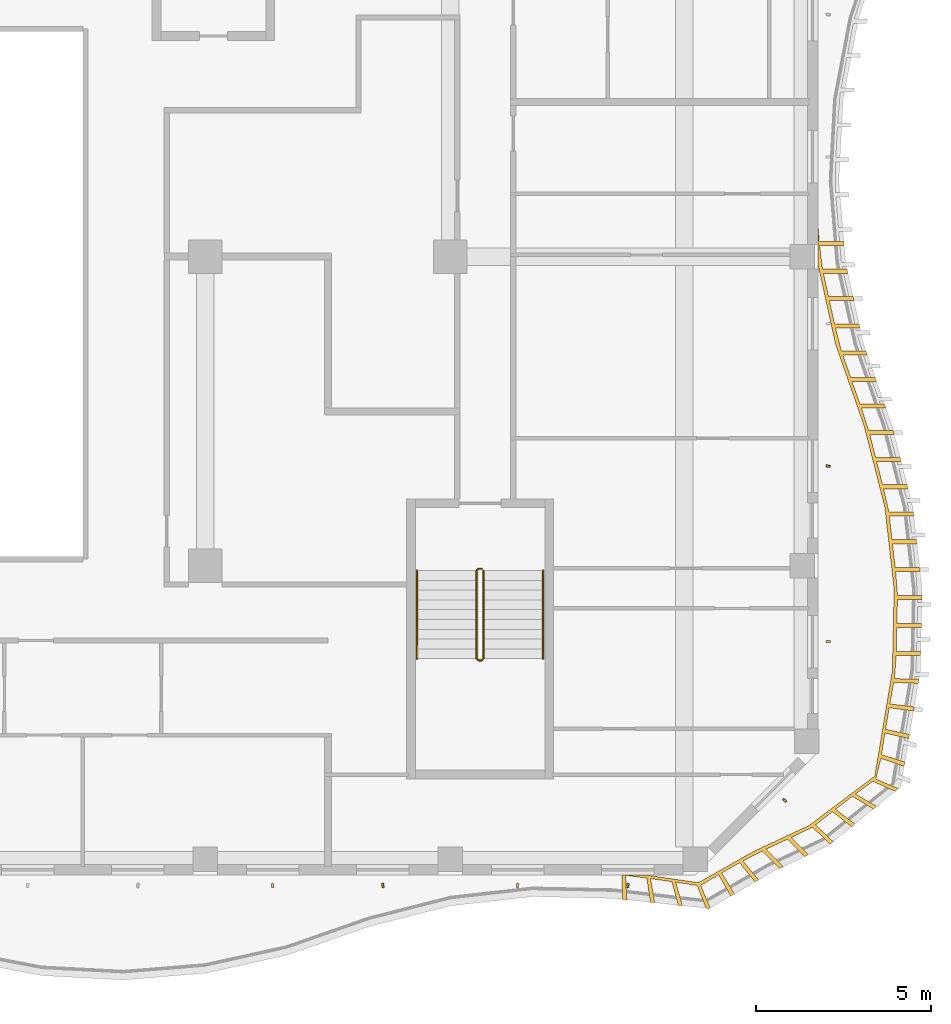
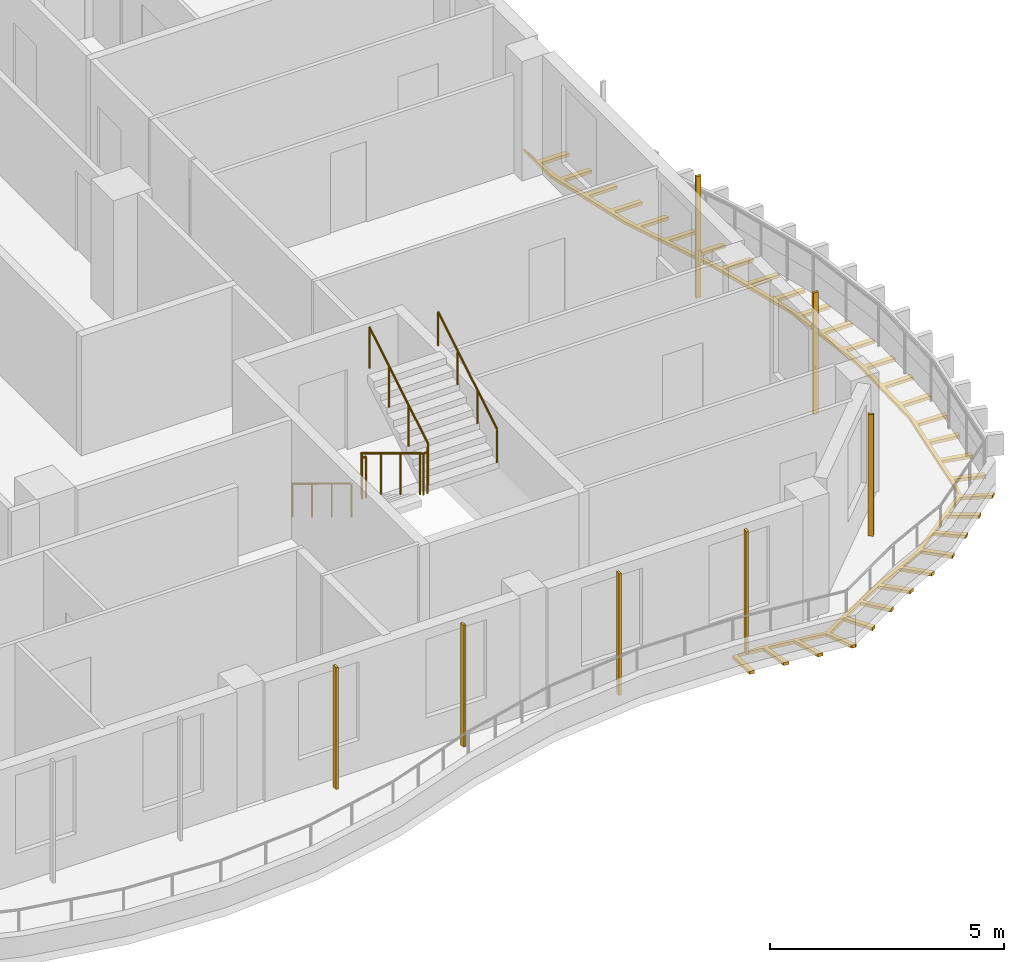
# One storey, part 16 of 19: 8 shading devices, 3 railings.
"""IFC4 building model written with IfcOpenShell, lengths in metres."""

from ifc_helpers import new_model, si_unit, direction, frame, origin, origin_2d, place, context, subcontext, project, spatial, polyline, rectangle, circle, outline, extrude, source, transform, mapped, material, layer, layer_set, material_profile, profile_set, type_object, element, save


model = new_model("IFC4")

# Units and contexts
model_context = context("Model", 3, precision=1e-05, world=origin(), true_north=direction((0.0, 1.0)))
body_context = subcontext(model_context, "Body", "Model", "MODEL_VIEW")
ifc_project = project(units=[si_unit("LENGTHUNIT", "METRE"), si_unit("AREAUNIT", "SQUARE_METRE"), si_unit("VOLUMEUNIT", "CUBIC_METRE"), si_unit("PLANEANGLEUNIT", "RADIAN"), si_unit("MASSUNIT", "GRAM", prefix="KILO")], contexts=[model_context])

# Site, building, storey
site_placement = place(None, origin())
site = spatial("IfcSite", under=ifc_project, at=site_placement, CompositionType="ELEMENT")
building_placement = place(site_placement, origin())
building = spatial("IfcBuilding", under=site, at=building_placement, Name="Kilnfold Tower and Market Hall", CompositionType="ELEMENT")
storey_placement = place(building_placement, frame((0.0, 0.0, 252.60009765625)))
storey = spatial("IfcBuildingStorey", under=building, at=storey_placement, Name="L61", CompositionType="ELEMENT", Elevation=252.60009765625)

# Railings
ifc_material_1 = material(Name="Stainless steel 316", Category="steel")
railing_type_1 = type_object("IfcRailingType", Name="CORE STAIR GUARD 1100", PredefinedType="GUARDRAIL", material=ifc_material_1)
railing_1_placement = place(storey_placement, frame((19.89990234375, -9.75, 0.0)))
element("IfcRailing", 1, at=railing_1_placement, inside=storey, type_object=railing_type_1, Name="L61 ST4 stair guard 1", PredefinedType="GUARDRAIL", context=body_context, shape_type="SweptSolid", body=[
    extrude(circle(Radius=0.02392578125, at=origin_2d()), frame((0.0, 0.0, 1.076171875), z_axis=(-1.0, 0.0, 0.0), x_axis=(0.0, -1.0, 0.0)), (0.0, 0.0, 1.0), 0.099853515625),
    extrude(circle(Radius=0.02392578125, at=origin_2d()), frame((-0.099853515625, 0.0, 1.076171875), z_axis=(-0.271895245746, -0.271895245746, 0.923117517265), x_axis=(0.707106781187, -0.707106781187, 0.0)), (0.0, 0.0, 1.0), 0.18408203125),
    extrude(circle(Radius=0.02392578125, at=origin_2d()), frame((-0.14990234375, -0.050048828125, 1.24609375), z_axis=(0.0, -0.85478489116, 0.518982456201), x_axis=(1.0, 0.0, 0.0)), (0.0, 0.0, 1.0), 2.9482421875),
    extrude(circle(Radius=0.02392578125, at=origin_2d()), frame((-0.14990234375, -2.570068359375, 2.77587890625), z_axis=(0.707106781187, -0.707106781187, 0.0), x_axis=(0.707106781187, 0.707106781187, 0.0)), (0.0, 0.0, 1.0), 0.07080078125),
    extrude(circle(Radius=0.02392578125, at=origin_2d()), frame((-0.099853515625, -2.6201171875, 2.77587890625), z_axis=(1.0, 0.0, 0.0), x_axis=(0.0, 1.0, 0.0)), (0.0, 0.0, 1.0), 0.099853515625),
    extrude(circle(Radius=0.02392578125, at=origin_2d()), frame((0.0, -2.6201171875, 2.77587890625), z_axis=(0.271895245746, 0.271895245746, 0.923117517265), x_axis=(-0.707106781187, 0.707106781187, 0.0)), (0.0, 0.0, 1.0), 0.18408203125),
    extrude(circle(Radius=0.02392578125, at=origin_2d()), frame((0.050048828125, -2.570068359375, 2.94580078125), z_axis=(0.0, 0.85478489116, 0.518982456201), x_axis=(-1.0, 0.0, 0.0)), (0.0, 0.0, 1.0), 2.9482421875),
    extrude(circle(Radius=0.02099609375, at=origin_2d()), origin(), (0.0, 0.0, 1.0), 1.052001953125),
    extrude(circle(Radius=0.02099609375, at=origin_2d()), frame((-0.099853515625, 0.0, 0.0)), (0.0, 0.0, 1.0), 1.052001953125),
    extrude(circle(Radius=0.02099609375, at=origin_2d()), frame((-0.14990234375, -0.050048828125, 0.169921875)), (0.0, 0.0, 1.0), 1.052001953125),
    extrude(circle(Radius=0.02099609375, at=origin_2d()), frame((-0.14990234375, -0.89013671875, 0.679931640625)), (0.0, 0.0, 1.0), 1.052001953125),
    extrude(circle(Radius=0.02099609375, at=origin_2d()), frame((-0.14990234375, -1.72998046875, 1.18994140625)), (0.0, 0.0, 1.0), 1.052001953125),
    extrude(circle(Radius=0.02099609375, at=origin_2d()), frame((-0.14990234375, -2.570068359375, 1.699951171875)), (0.0, 0.0, 1.0), 1.052001953125),
    extrude(circle(Radius=0.02099609375, at=origin_2d()), frame((-0.099853515625, -2.6201171875, 1.699951171875)), (0.0, 0.0, 1.0), 1.052001953125),
    extrude(circle(Radius=0.02099609375, at=origin_2d()), frame((0.0, -2.6201171875, 1.699951171875)), (0.0, 0.0, 1.0), 1.052001953125),
    extrude(circle(Radius=0.02099609375, at=origin_2d()), frame((0.050048828125, -2.570068359375, 1.869873046875)), (0.0, 0.0, 1.0), 1.052001953125),
    extrude(circle(Radius=0.02099609375, at=origin_2d()), frame((0.050048828125, -1.72998046875, 2.3798828125)), (0.0, 0.0, 1.0), 1.052001953125),
    extrude(circle(Radius=0.02099609375, at=origin_2d()), frame((0.050048828125, -0.89013671875, 2.889892578125)), (0.0, 0.0, 1.0), 1.052001953125),
    extrude(circle(Radius=0.02099609375, at=origin_2d()), frame((0.050048828125, -0.050048828125, 3.39990234375)), (0.0, 0.0, 1.0), 1.052001953125),
])
ifc_material_2 = material(Name="Stainless steel 316", Category="steel")
railing_type_2 = type_object("IfcRailingType", Name="CORE STAIR HANDRAIL 900", PredefinedType="HANDRAIL", material=ifc_material_2)
railing_2_placement = place(storey_placement, frame((18.050048828125, -9.800048828125, 0.169921875)))
element("IfcRailing", 2, at=railing_2_placement, inside=storey, type_object=railing_type_2, Name="L61 ST4 stair handrail 1", PredefinedType="HANDRAIL", context=body_context, shape_type="SweptSolid", body=[
    extrude(circle(Radius=0.02392578125, at=origin_2d()), frame((0.0, 0.0, 0.8759765625), z_axis=(0.0, -0.85478489116, 0.518982456201), x_axis=(1.0, 0.0, 0.0)), (0.0, 0.0, 1.0), 2.9482421875),
    extrude(circle(Radius=0.02099609375, at=origin_2d()), origin(), (0.0, 0.0, 1.0), 0.851806640625),
    extrude(circle(Radius=0.02099609375, at=origin_2d()), frame((0.0, -0.840087890625, 0.510009765625)), (0.0, 0.0, 1.0), 0.851806640625),
    extrude(circle(Radius=0.02099609375, at=origin_2d()), frame((0.0, -1.679931640625, 1.02001953125)), (0.0, 0.0, 1.0), 0.851806640625),
    extrude(circle(Radius=0.02099609375, at=origin_2d()), frame((0.0, -2.52001953125, 1.530029296875)), (0.0, 0.0, 1.0), 0.851806640625),
])
railing_3_placement = place(storey_placement, frame((21.64990234375, -12.320068359375, 1.869873046875)))
element("IfcRailing", 3, at=railing_3_placement, inside=storey, type_object=railing_type_2, Name="L61 ST4 stair handrail 2", PredefinedType="HANDRAIL", context=body_context, shape_type="SweptSolid", body=[
    extrude(circle(Radius=0.02392578125, at=origin_2d()), frame((0.0, 0.0, 0.8759765625), z_axis=(0.0, 0.85478489116, 0.518982456201), x_axis=(-1.0, 0.0, 0.0)), (0.0, 0.0, 1.0), 2.9482421875),
    extrude(circle(Radius=0.02099609375, at=origin_2d()), origin(), (0.0, 0.0, 1.0), 0.851806640625),
    extrude(circle(Radius=0.02099609375, at=origin_2d()), frame((0.0, 0.840087890625, 0.510009765625)), (0.0, 0.0, 1.0), 0.851806640625),
    extrude(circle(Radius=0.02099609375, at=origin_2d()), frame((0.0, 1.679931640625, 1.02001953125)), (0.0, 0.0, 1.0), 0.851806640625),
    extrude(circle(Radius=0.02099609375, at=origin_2d()), frame((0.0, 2.52001953125, 1.530029296875)), (0.0, 0.0, 1.0), 0.851806640625),
])

# Shading devices
ifc_material_3 = material(Name="Terracotta", Category="masonry")
ifc_material_profile = material_profile(ifc_material_3, rectangle(XDim=0.06005859375, YDim=0.1201171875, at=origin_2d()), Name="BAG 60x120")
ifc_profile_set = profile_set([ifc_material_profile], Name="Terracotta")
shading_device_type_1 = type_object("IfcShadingDeviceType", Name="BAGUETTE", PredefinedType="USERDEFINED", material=ifc_profile_set)
shared_shape_1 = source(origin(), body_context, "Body", "SweptSolid", [
    extrude(rectangle(XDim=0.06005859375, YDim=0.1201171875, at=origin_2d()), origin(), (0.0, 0.0, 1.0), 3.179931640625),
])
for number, where, z_axis, x_axis, name in (
    (4, (13.925048828125, -18.800048828125, 0.0), (0.0, 0.0, 1.0), (0.999496310785, 0.031735228472, 0.0), "Terracotta baguette L61 S"),
    (5, (17.074951171875, -18.800048828125, 0.0), (0.0, 0.0, 1.0), (0.990318769561, 0.138811867849, 0.0), "Terracotta baguette L61 S"),
    (6, (20.925048828125, -18.800048828125, 0.0), (0.0, 0.0, 1.0), (0.999496310785, -0.031735228472, 0.0), "Terracotta baguette L61 S"),
    (7, (24.074951171875, -18.800048828125, 0.0), (0.0, 0.0, 1.0), (0.990318769561, -0.138811867849, 0.0), "Terracotta baguette L61 S"),
    (8, (28.554931640625, -16.369384765625, 0.0), (0.0, 0.0, 1.0), (0.62901244441, 0.77739523074, 0.0), "Terracotta baguette L61 SE"),
    (9, (29.800048828125, -11.831787109375, 0.0), (0.0, 0.0, 1.0), (-0.018495944673, 0.999828935384, 0.0), "Terracotta baguette L61 E"),
    (10, (29.800048828125, -6.816650390625, 0.0), (0.0, 0.0, 1.0), (0.118963725177, 0.992898601113, 0.0), "Terracotta baguette L61 E"),
):
    element("IfcShadingDevice", number, at=place(storey_placement, frame(where, z_axis=z_axis, x_axis=x_axis)), inside=storey, type_object=shading_device_type_1, Name=name, ObjectType="BAGUETTE", PredefinedType="USERDEFINED", context=body_context, shape_type="MappedRepresentation", body=[
        mapped(shared_shape_1, transform((0.0, 0.0, 0.0))),
    ])
ifc_material_4 = material(Name="Bronze anodised aluminium", Category="aluminium")
ifc_layer = layer(ifc_material_4, 0.080078125)
ifc_layer_set = layer_set([ifc_layer], Name="Bronze anodised aluminium")
shading_device_type_2 = type_object("IfcShadingDeviceType", Name="BRONZE SLAT SOFFIT 80", PredefinedType="USERDEFINED", material=ifc_layer_set)
shared_shape_2 = source(origin(), body_context, "Body", "SweptSolid", [
    extrude(outline(polyline([(26.0908203125, -18.71923828125), (27.662109375, -17.82861328125), (29.252197265625, -17.08544921875), (31.12841796875, -15.674560546875), (31.63134765625, -12.666748046875), (31.68212890625, -10.333251953125), (31.418212890625, -8.0), (30.823974609375, -5.666748046875), (30.009033203125, -3.333251953125), (29.5, -1.03173828125), (29.5, 0.135009765625), (29.543701171875, -0.3974609375), (30.24365234375, -0.3974609375), (30.25341796875, -0.51708984375), (29.553466796875, -0.51708984375), (29.63525390625, -1.19091796875), (30.335205078125, -1.19091796875), (30.361083984375, -1.30810546875), (29.6611328125, -1.30810546875), (29.807861328125, -1.971923828125), (30.5078125, -1.971923828125), (30.533935546875, -2.089111328125), (29.833984375, -2.089111328125), (29.980712890625, -2.753173828125), (30.6806640625, -2.753173828125), (30.70654296875, -2.8701171875), (30.006591796875, -2.8701171875), (30.1767578125, -3.527587890625), (30.876708984375, -3.527587890625), (30.91650390625, -3.640869140625), (30.21630859375, -3.640869140625), (30.440673828125, -4.28271484375), (31.140625, -4.28271484375), (31.18017578125, -4.39599609375), (30.480224609375, -4.39599609375), (30.704345703125, -5.0380859375), (31.404296875, -5.0380859375), (31.444091796875, -5.1513671875), (30.743896484375, -5.1513671875), (30.95703125, -5.796630859375), (31.656982421875, -5.796630859375), (31.686767578125, -5.9130859375), (30.98681640625, -5.9130859375), (31.154541015625, -6.572021484375), (31.8544921875, -6.572021484375), (31.884033203125, -6.688232421875), (31.18408203125, -6.688232421875), (31.351806640625, -7.34716796875), (32.052001953125, -7.34716796875), (32.08154296875, -7.46337890625), (31.381591796875, -7.46337890625), (31.5322265625, -8.12548828125), (32.232421875, -8.12548828125), (32.245849609375, -8.244873046875), (31.5458984375, -8.244873046875), (31.622314453125, -8.92041015625), (32.322265625, -8.92041015625), (32.335693359375, -9.039794921875), (31.6357421875, -9.039794921875), (31.71240234375, -9.71533203125), (32.412353515625, -9.71533203125), (32.42578125, -9.834716796875), (31.725830078125, -9.834716796875), (31.7783203125, -10.511474609375), (32.478271484375, -10.511474609375), (32.4755859375, -10.63134765625), (31.775634765625, -10.63134765625), (31.760986328125, -11.311279296875), (32.4609375, -11.311279296875), (32.458251953125, -11.43115234375), (31.75830078125, -11.43115234375), (31.743408203125, -12.111083984375), (32.443359375, -12.111083984375), (32.44091796875, -12.23095703125), (31.74072265625, -12.23095703125), (31.690673828125, -12.887939453125), (32.390380859375, -12.907470703125), (32.3701171875, -13.025634765625), (31.6708984375, -12.99658203125), (31.561279296875, -13.611572265625), (32.256103515625, -13.696044921875), (32.236083984375, -13.814453125), (31.54248046875, -13.719970703125), (31.438232421875, -14.3349609375), (32.1220703125, -14.48486328125), (32.101806640625, -14.60302734375), (31.42041015625, -14.443603515625), (31.3212890625, -15.06005859375), (31.98779296875, -15.2734375), (31.9677734375, -15.391845703125), (31.30419921875, -15.1689453125), (31.16015625, -15.75732421875), (31.8037109375, -16.032958984375), (31.71044921875, -16.108642578125), (31.072021484375, -15.822021484375), (30.576904296875, -16.188720703125), (31.183349609375, -16.538330078125), (31.09033203125, -16.614013671875), (30.490478515625, -16.253662109375), (30.003173828125, -16.623779296875), (30.563232421875, -17.043701171875), (30.47021484375, -17.119384765625), (29.917724609375, -16.689697265625), (29.436767578125, -17.06591796875), (29.943115234375, -17.549072265625), (29.85009765625, -17.625), (29.352294921875, -17.1328125), (28.74462890625, -17.426513671875), (29.239501953125, -17.92138671875), (29.130859375, -17.972412109375), (28.6357421875, -17.477294921875), (28.019775390625, -17.765380859375), (28.514892578125, -18.26025390625), (28.406005859375, -18.31103515625), (27.9111328125, -17.816162109375), (27.36083984375, -18.100341796875), (27.81005859375, -18.63720703125), (27.706298828125, -18.697509765625), (27.269287109375, -18.150634765625), (26.75439453125, -18.441162109375), (27.118408203125, -19.0390625), (27.0146484375, -19.099365234375), (26.6640625, -18.493408203125), (26.15478515625, -18.7958984375), (26.426513671875, -19.441162109375), (26.39697265625, -19.458251953125), (26.311767578125, -19.44921875), (26.051513671875, -18.79931640625), (25.439453125, -18.70556640625), (25.635498046875, -19.37744140625), (25.51611328125, -19.364990234375), (25.331787109375, -18.689697265625), (24.72265625, -18.60302734375), (24.840087890625, -19.293212890625), (24.720703125, -19.280517578125), (24.615478515625, -18.58837890625), (24.007080078125, -18.509765625), (24.04443359375, -19.208740234375), (23.925048828125, -19.196044921875), (23.899658203125, -18.5), (24.57470703125, -18.5), (26.0908203125, -18.71923828125)])), origin(), (0.0, 0.0, 1.0), 0.079833984375),
])
shading_device_placement = place(storey_placement, frame((0.0, 0.0, -0.300048828125)))
element("IfcShadingDevice", 11, at=shading_device_placement, inside=storey, type_object=shading_device_type_2, Name="Balcony soffit slats L61", ObjectType="SLAT", PredefinedType="USERDEFINED", context=body_context, shape_type="MappedRepresentation", body=[
    mapped(shared_shape_2, transform((0.0, 0.0, 0.0))),
])

save(model, "model.ifc")
